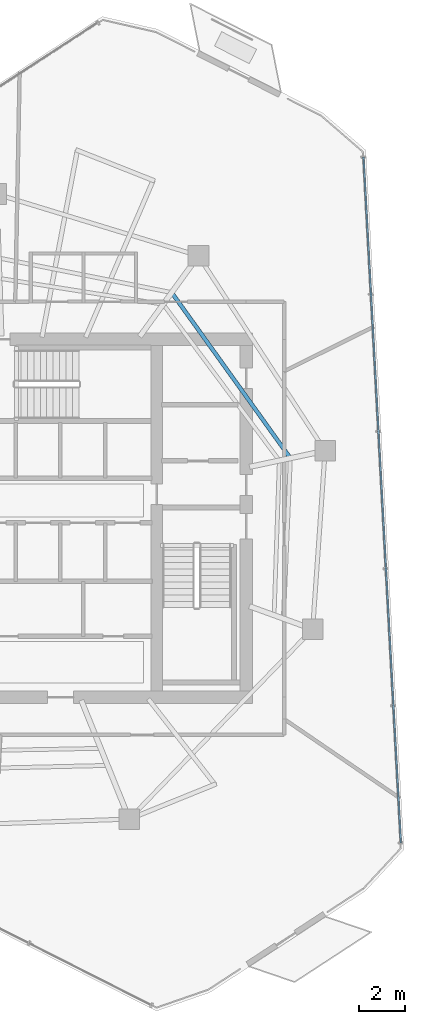
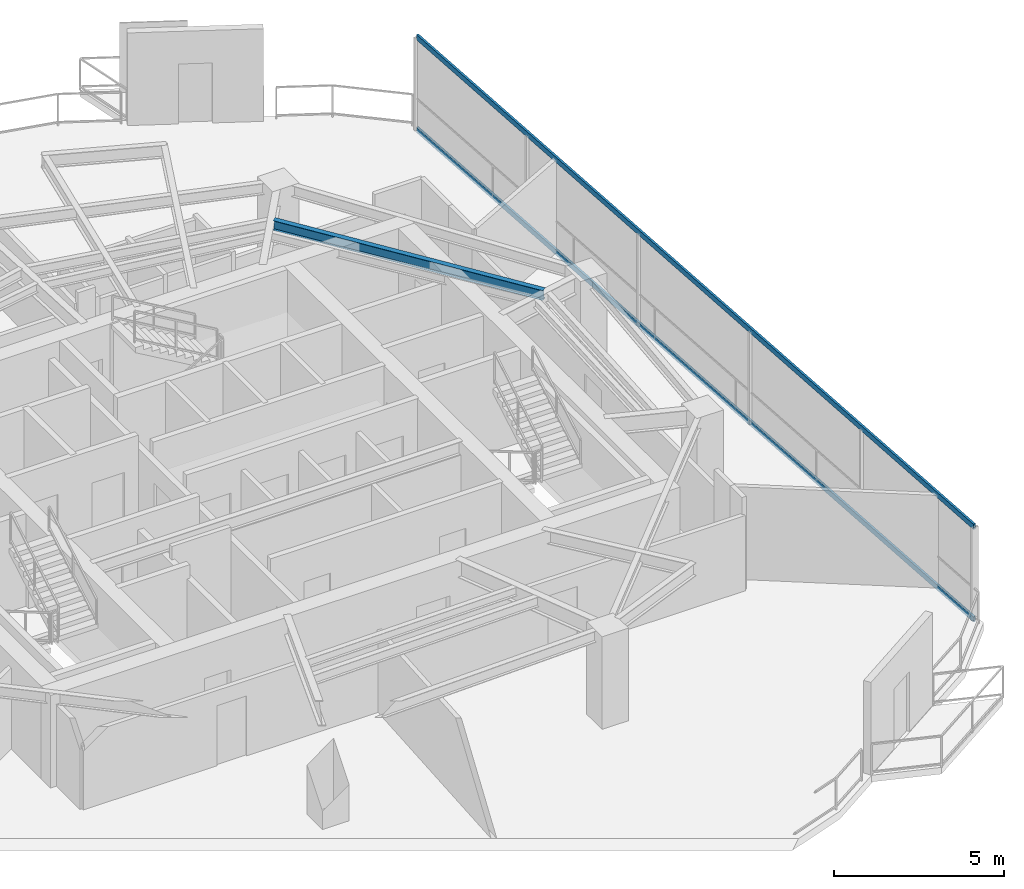
# One storey, part 8 of 18: 2 members, 1 beam, 1 element without a shape of its own.
"""IFC4 building model written with IfcOpenShell, lengths in metres."""

from ifc_helpers import new_model, si_unit, direction, frame, origin, origin_2d, place, context, subcontext, project, spatial, hollow_rectangle, i_section, extrude, material, layer, layer_set, material_profile, profile_set, type_object, element, aggregate, save


model = new_model("IFC4")

# Units and contexts
model_context = context("Model", 3, precision=1e-05, world=origin(), true_north=direction((0.0, 1.0)))
body_context = subcontext(model_context, "Body", "Model", "MODEL_VIEW")
ifc_project = project(units=[si_unit("LENGTHUNIT", "METRE"), si_unit("AREAUNIT", "SQUARE_METRE"), si_unit("VOLUMEUNIT", "CUBIC_METRE"), si_unit("PLANEANGLEUNIT", "RADIAN"), si_unit("MASSUNIT", "GRAM", prefix="KILO")], contexts=[model_context])

# Site, building, storey
site_placement = place(None, origin())
site = spatial("IfcSite", under=ifc_project, at=site_placement, CompositionType="ELEMENT")
building_placement = place(site_placement, origin())
building = spatial("IfcBuilding", under=site, at=building_placement, Name="Qarnah Convention Tower", CompositionType="ELEMENT")
storey_placement = place(building_placement, frame((0.0, 0.0, 191.39990234375)))
storey = spatial("IfcBuildingStorey", under=building, at=storey_placement, Name="L51", CompositionType="ELEMENT", Elevation=191.39990234375)

# Beam
ifc_material_1 = material(Name="Structural steel S355JR", Category="steel")
ifc_material_profile_1 = material_profile(ifc_material_1, i_section(OverallWidth=0.172119140625, OverallDepth=0.35595703125, WebThickness=0.007080078125, FlangeThickness=0.011962890625, at=origin_2d()), Name="W360X51")
ifc_profile_set_1 = profile_set([ifc_material_profile_1], Name="Structural steel S355JR")
beam_type = type_object("IfcBeamType", Name="BM-JST-W360", PredefinedType="JOIST", material=ifc_profile_set_1)
beam_placement = place(storey_placement, frame((49.47509765625, 29.093017578125, 3.14208984375), z_axis=(-0.582537157954, 0.812804072088, 0.0), x_axis=(-0.812804072088, -0.582537157954, 0.0)))
element("IfcBeam", 1, at=beam_placement, inside=storey, type_object=beam_type, Name="L51 joist BM-L51-SJST-01", PredefinedType="JOIST", context=body_context, shape_type="SweptSolid", body=[
    extrude(i_section(OverallWidth=0.172119140625, OverallDepth=0.35595703125, WebThickness=0.007080078125, FlangeThickness=0.011962890625, at=origin_2d()), origin(), (0.0, 0.0, 1.0), 8.706787109375),
])

# Curtain wall, members
ifc_material_2 = material(Name="Tempered Low-E dark glass", Category="glass")
ifc_layer = layer(ifc_material_2, 0.174072265625)
ifc_layer_set = layer_set([ifc_layer], Name="Tempered Low-E dark glass")
curtain_wall_type = type_object("IfcCurtainWallType", Name="CWS-04", PredefinedType="NOTDEFINED", material=ifc_layer_set)
curtain_wall_placement = place(storey_placement, origin())
curtain_wall = element("IfcCurtainWall", 2, at=curtain_wall_placement, inside=storey, type_object=curtain_wall_type, Name="L51 unitised curtain wall CW-L51-F2", PredefinedType="NOTDEFINED")
ifc_material_3 = material(Name="Black anodised aluminium", Category="aluminium")
ifc_material_profile_2 = material_profile(ifc_material_3, hollow_rectangle(XDim=0.074951171875, YDim=0.18994140625, WallThickness=0.0048828125, at=origin_2d()), Name="TRN-75X190")
ifc_profile_set_2 = profile_set([ifc_material_profile_2], Name="Black anodised aluminium")
member_type = type_object("IfcMemberType", Name="TRN-T4", PredefinedType="USERDEFINED", material=ifc_profile_set_2)
member_1_placement = place(storey_placement, frame((52.716064453125, 42.14697265625, 0.0), z_axis=(0.054428726799, -0.998517658181, 0.0), x_axis=(0.998517658181, 0.054428726799, 0.0)))
member_1 = element("IfcMember", 3, at=member_1_placement, type_object=member_type, Name="CW-L51-F2 transom 1", ObjectType="TRANSOM", PredefinedType="USERDEFINED", context=body_context, shape_type="SweptSolid", body=[
    extrude(hollow_rectangle(XDim=0.074951171875, YDim=0.18994140625, WallThickness=0.0048828125, at=origin_2d()), origin(), (0.0, 0.0, 1.0), 29.9453125),
])
member_2_placement = place(storey_placement, frame((52.716064453125, 42.14697265625, 3.320068359375), z_axis=(0.054428726799, -0.998517658181, 0.0), x_axis=(0.998517658181, 0.054428726799, 0.0)))
member_2 = element("IfcMember", 4, at=member_2_placement, type_object=member_type, Name="CW-L51-F2 transom 2", ObjectType="TRANSOM", PredefinedType="USERDEFINED", context=body_context, shape_type="SweptSolid", body=[
    extrude(hollow_rectangle(XDim=0.074951171875, YDim=0.18994140625, WallThickness=0.0048828125, at=origin_2d()), origin(), (0.0, 0.0, 1.0), 29.9453125),
])
aggregate(curtain_wall, [member_1, member_2])

save(model, "model.ifc")
